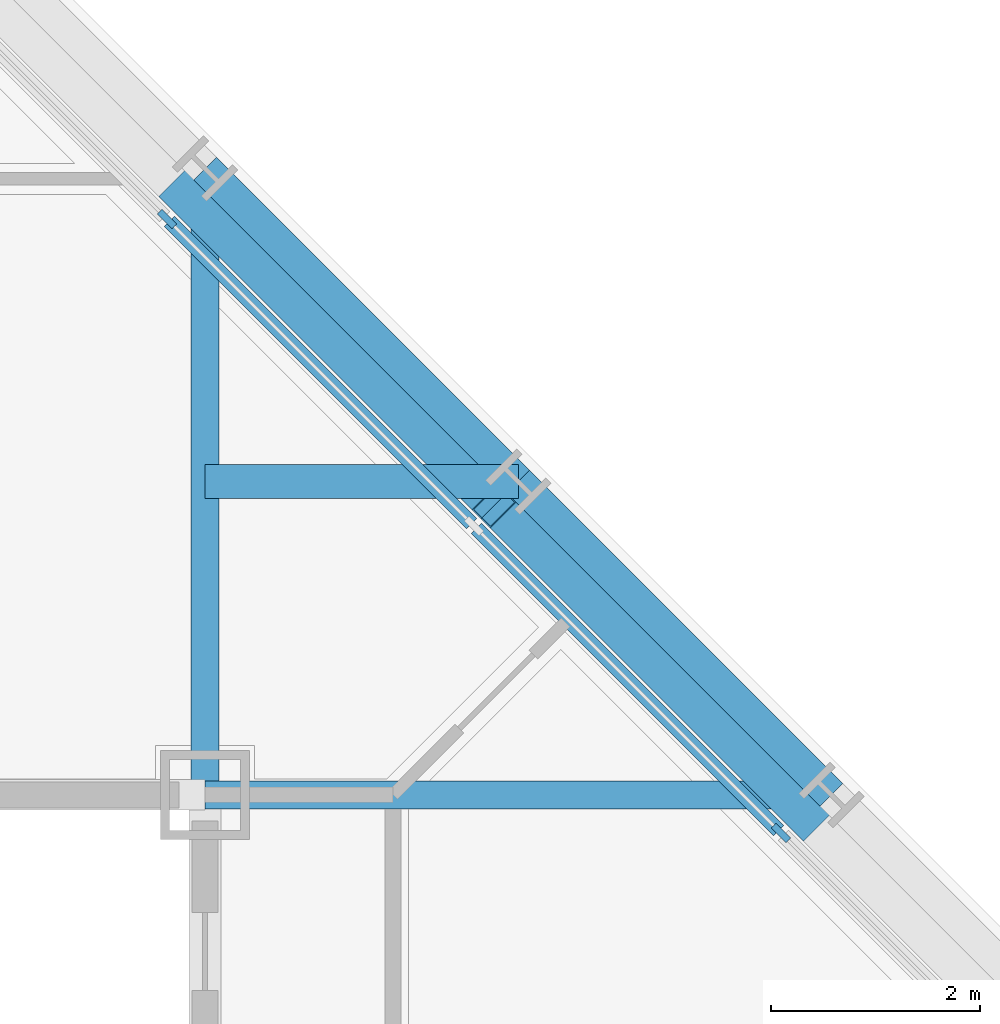
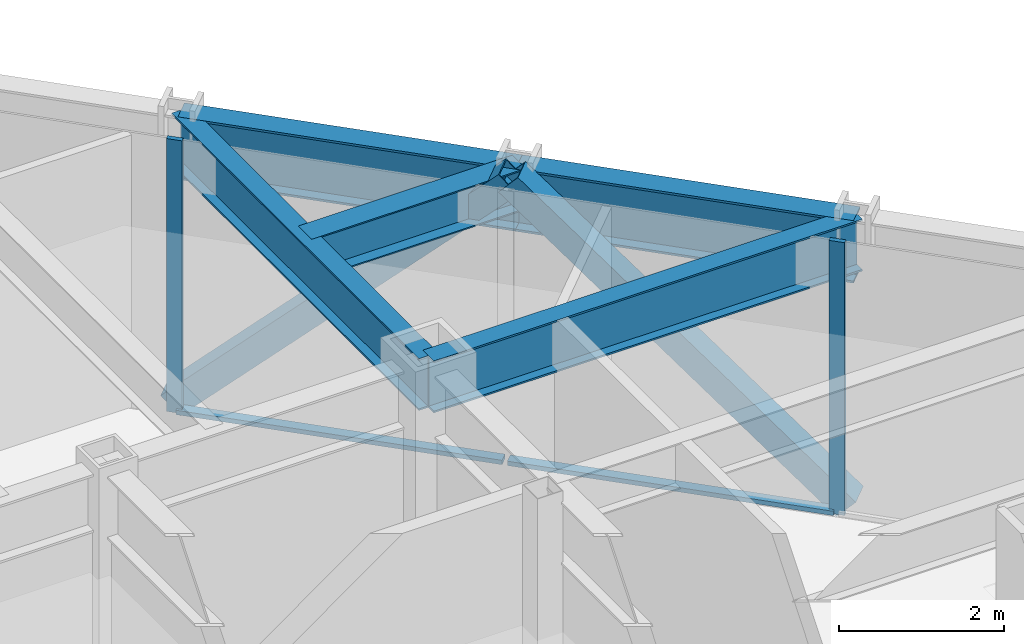
# One storey, part 9 of 16: 6 members, 5 beams, 1 element without a shape of its own.
"""IFC4 building model written with IfcOpenShell, lengths in metres."""

from ifc_helpers import new_model, si_unit, direction, frame, origin, origin_2d, place, context, subcontext, project, spatial, rectangle, hollow_rectangle, i_section, extrude, material, layer, layer_set, material_profile, profile_set, type_object, element, aggregate, save


model = new_model("IFC4")

# Units and contexts
model_context = context("Model", 3, precision=1e-05, world=origin(), true_north=direction((0.0, 1.0)))
body_context = subcontext(model_context, "Body", "Model", "MODEL_VIEW")
ifc_project = project(units=[si_unit("LENGTHUNIT", "METRE"), si_unit("AREAUNIT", "SQUARE_METRE"), si_unit("VOLUMEUNIT", "CUBIC_METRE"), si_unit("PLANEANGLEUNIT", "RADIAN"), si_unit("MASSUNIT", "GRAM", prefix="KILO")], contexts=[model_context])

# Site, building, storey
site_placement = place(None, origin())
site = spatial("IfcSite", under=ifc_project, at=site_placement, CompositionType="ELEMENT")
building_placement = place(site_placement, origin())
building = spatial("IfcBuilding", under=site, at=building_placement, Name="Chuquiago Exchange Tower", CompositionType="ELEMENT")
storey_placement = place(building_placement, frame((0.0, 0.0, 239.10009765625)))
storey = spatial("IfcBuildingStorey", under=building, at=storey_placement, Name="L53", CompositionType="ELEMENT", Elevation=239.10009765625)

# Beam
ifc_material_1 = material(Name="Steel ASTM A992", Category="steel")
ifc_material_profile_1 = material_profile(ifc_material_1, i_section(OverallWidth=0.3251953125, OverallDepth=0.612060546875, WebThickness=0.0126953125, FlangeThickness=0.01904296875, at=origin_2d()), Name="W24X104")
ifc_profile_set_1 = profile_set([ifc_material_profile_1], Name="Steel ASTM A992")
beam_type_1 = type_object("IfcBeamType", Name="B2 W24X104", PredefinedType="BEAM", material=ifc_profile_set_1)
beam_placement = place(storey_placement, frame((33.0, 36.0, 3.73388671875), z_axis=(1.0, 0.0, 0.0), x_axis=(0.0, 1.0, 0.0)))
element("IfcBeam", 1, at=beam_placement, inside=storey, type_object=beam_type_1, Name="FB-L54-corner-33_36-36_36-0", PredefinedType="BEAM", context=body_context, shape_type="SweptSolid", body=[
    extrude(i_section(OverallWidth=0.3251953125, OverallDepth=0.612060546875, WebThickness=0.0126953125, FlangeThickness=0.01904296875, at=origin_2d()), origin(), (0.0, 0.0, 1.0), 3.0),
])

# Curtain wall, members
ifc_material_2 = material(Name="Aluminium curtain wall system", Category="aluminium")
ifc_layer = layer(ifc_material_2, 0.199951171875)
ifc_layer_set = layer_set([ifc_layer], Name="CW3 facet curtain wall")
curtain_wall_type = type_object("IfcCurtainWallType", Name="CW3 facet curtain wall", PredefinedType="NOTDEFINED", material=ifc_layer_set)
curtain_wall_placement = place(storey_placement, origin())
curtain_wall = element("IfcCurtainWall", 2, at=curtain_wall_placement, inside=storey, type_object=curtain_wall_type, Name="CW3 curtain wall L53", PredefinedType="NOTDEFINED")
ifc_material_3 = material(Name="Aluminium mullion, pale anodised", Category="aluminium")
ifc_material_profile_2 = material_profile(ifc_material_3, rectangle(XDim=0.06494140625, YDim=0.199951171875, at=origin_2d()), Name="AL 65x200")
ifc_profile_set_2 = profile_set([ifc_material_profile_2], Name="Aluminium mullion, pale anodised")
member_type_1 = type_object("IfcMemberType", Name="CW3-M mullion 65x200", PredefinedType="MULLION", material=ifc_profile_set_2)
member_1_placement = place(storey_placement, frame((38.51708984375, 32.63427734375, 0.0), z_axis=(0.0, 0.0, 1.0), x_axis=(-0.707106781187, -0.707106781187, 0.0)))
member_1 = element("IfcMember", 3, at=member_1_placement, type_object=member_type_1, Name="CW3 mullion 3", PredefinedType="MULLION", context=body_context, shape_type="SweptSolid", body=[
    extrude(rectangle(XDim=0.06494140625, YDim=0.199951171875, at=origin_2d()), origin(), (0.0, 0.0, 1.0), 4.039794921875),
])
member_2_placement = place(storey_placement, frame((32.63427734375, 38.51708984375, 0.0), z_axis=(0.0, 0.0, 1.0), x_axis=(-0.707106781187, -0.707106781187, 0.0)))
member_2 = element("IfcMember", 4, at=member_2_placement, type_object=member_type_1, Name="CW3 mullion 5", PredefinedType="MULLION", context=body_context, shape_type="SweptSolid", body=[
    extrude(rectangle(XDim=0.06494140625, YDim=0.199951171875, at=origin_2d()), origin(), (0.0, 0.0, 1.0), 4.039794921875),
])
ifc_material_4 = material(Name="Aluminium transom, pale anodised", Category="aluminium")
ifc_material_profile_3 = material_profile(ifc_material_4, rectangle(XDim=0.139892578125, YDim=0.06494140625, at=origin_2d()), Name="AL 140x65")
ifc_profile_set_3 = profile_set([ifc_material_profile_3], Name="Aluminium transom, pale anodised")
member_type_2 = type_object("IfcMemberType", Name="CW3-T transom 65x140", PredefinedType="MULLION", material=ifc_profile_set_3)
member_3_placement = place(storey_placement, frame((38.494140625, 32.6572265625, 0.032470703125), z_axis=(-0.707106781187, 0.707106781187, 0.0), x_axis=(-0.707106781187, -0.707106781187, 0.0)))
member_3 = element("IfcMember", 5, at=member_3_placement, type_object=member_type_2, Name="CW3 transom 3.1", PredefinedType="MULLION", context=body_context, shape_type="SweptSolid", body=[
    extrude(rectangle(XDim=0.139892578125, YDim=0.06494140625, at=origin_2d()), origin(), (0.0, 0.0, 1.0), 4.094970703125),
])
member_4_placement = place(storey_placement, frame((35.552734375, 35.5986328125, 0.032470703125), z_axis=(-0.707106781187, 0.707106781187, 0.0), x_axis=(-0.707106781187, -0.707106781187, 0.0)))
member_4 = element("IfcMember", 6, at=member_4_placement, type_object=member_type_2, Name="CW3 transom 4.1", PredefinedType="MULLION", context=body_context, shape_type="SweptSolid", body=[
    extrude(rectangle(XDim=0.139892578125, YDim=0.06494140625, at=origin_2d()), origin(), (0.0, 0.0, 1.0), 4.094970703125),
])
aggregate(curtain_wall, [member_1, member_2, member_3, member_4])

# Beams
ifc_material_5 = material(Name="Steel ASTM A992", Category="steel")
ifc_material_profile_4 = material_profile(ifc_material_5, i_section(OverallWidth=0.2666015625, OverallDepth=0.76953125, WebThickness=0.015625, FlangeThickness=0.025390625, at=origin_2d()), Name="W30X132")
ifc_profile_set_4 = profile_set([ifc_material_profile_4], Name="Steel ASTM A992")
beam_type_2 = type_object("IfcBeamType", Name="G1 W30X132", PredefinedType="BEAM", material=ifc_profile_set_4)
for number, where, z_axis, x_axis, name in (
    (7, (33.0, 33.0, 3.655029296875), (0.0, 1.0, 0.0), (-1.0, 0.0, 0.0), "FB-L54-girder-33_33-33_39-0"),
    (8, (33.0, 33.0, 3.655029296875), (1.0, 0.0, 0.0), (0.0, 1.0, 0.0), "FB-L54-girder-33_33-39_33-0"),
):
    element("IfcBeam", number, at=place(storey_placement, frame(where, z_axis=z_axis, x_axis=x_axis)), inside=storey, type_object=beam_type_2, Name=name, PredefinedType="BEAM", context=body_context, shape_type="SweptSolid", body=[
        extrude(i_section(OverallWidth=0.2666015625, OverallDepth=0.76953125, WebThickness=0.015625, FlangeThickness=0.025390625, at=origin_2d()), origin(), (0.0, 0.0, 1.0), 6.0),
    ])

# Members
ifc_material_6 = material(Name="Steel ASTM A500 Grade C", Category="steel")
ifc_material_profile_5 = material_profile(ifc_material_6, hollow_rectangle(XDim=0.355712890625, YDim=0.355712890625, WallThickness=0.0146484375, at=origin_2d()), Name="HSS14X14X5/8")
ifc_profile_set_5 = profile_set([ifc_material_profile_5], Name="Steel ASTM A500 Grade C")
member_type_3 = type_object("IfcMemberType", Name="LB2 HSS14X14X5/8", PredefinedType="BRACE", material=ifc_profile_set_5)
for number, where, z_axis, x_axis, name in (
    (9, (38.7685546875, 32.7685546875, 0.0), (-0.51209198167, 0.51209198167, 0.689582195694), (-0.707106781187, -0.707106781187, 0.0), "LB-L53-39_33-36_36"),
    (10, (32.7685546875, 38.7685546875, 0.0), (0.51209198167, -0.51209198167, 0.689582195694), (0.707106781187, 0.707106781187, 0.0), "LB-L53-36_36-33_39"),
):
    element("IfcMember", number, at=place(storey_placement, frame(where, z_axis=z_axis, x_axis=x_axis)), inside=storey, type_object=member_type_3, Name=name, PredefinedType="BRACE", context=body_context, shape_type="SweptSolid", body=[
        extrude(hollow_rectangle(XDim=0.355712890625, YDim=0.355712890625, WallThickness=0.0146484375, at=origin_2d()), origin(), (0.0, 0.0, 1.0), 5.8583984375),
    ])

# Beams
ifc_material_7 = material(Name="Steel ASTM A992", Category="steel")
ifc_material_profile_6 = material_profile(ifc_material_7, i_section(OverallWidth=0.307373046875, OverallDepth=0.927001953125, WebThickness=0.01953125, FlangeThickness=0.031982421875, at=origin_2d()), Name="W36X194")
ifc_profile_set_6 = profile_set([ifc_material_profile_6], Name="Steel ASTM A992")
beam_type_3 = type_object("IfcBeamType", Name="SP3 W36X194", PredefinedType="SPANDREL", material=ifc_profile_set_6)
for number, where, z_axis, x_axis, name in (
    (11, (39.0, 33.0, 3.576416015625), (-0.707106781187, 0.707106781187, 0.0), (-0.707106781187, -0.707106781187, 0.0), "SPB-L54-39_33-36_36"),
    (12, (36.0, 36.0, 3.576416015625), (-0.707106781187, 0.707106781187, 0.0), (-0.707106781187, -0.707106781187, 0.0), "SPB-L54-36_36-33_39"),
):
    element("IfcBeam", number, at=place(storey_placement, frame(where, z_axis=z_axis, x_axis=x_axis)), inside=storey, type_object=beam_type_3, Name=name, PredefinedType="SPANDREL", context=body_context, shape_type="SweptSolid", body=[
        extrude(i_section(OverallWidth=0.307373046875, OverallDepth=0.927001953125, WebThickness=0.01953125, FlangeThickness=0.031982421875, at=origin_2d()), origin(), (0.0, 0.0, 1.0), 4.24267578125),
    ])

save(model, "model.ifc")
